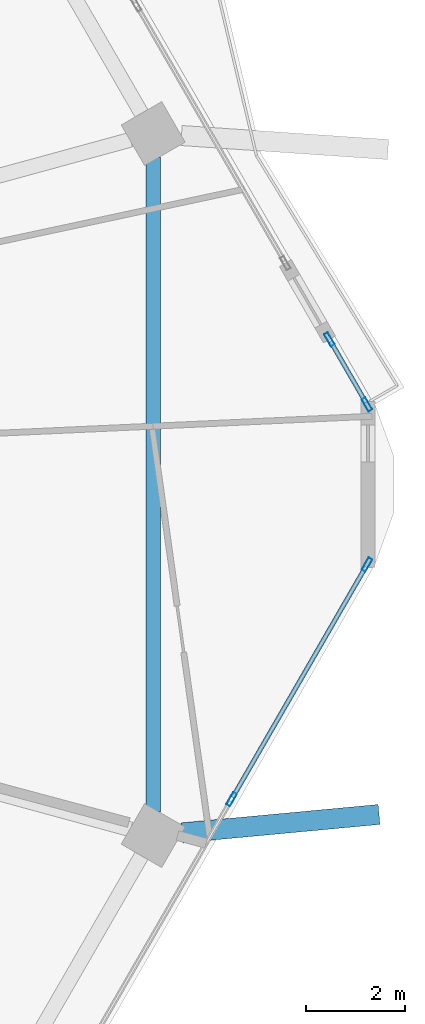
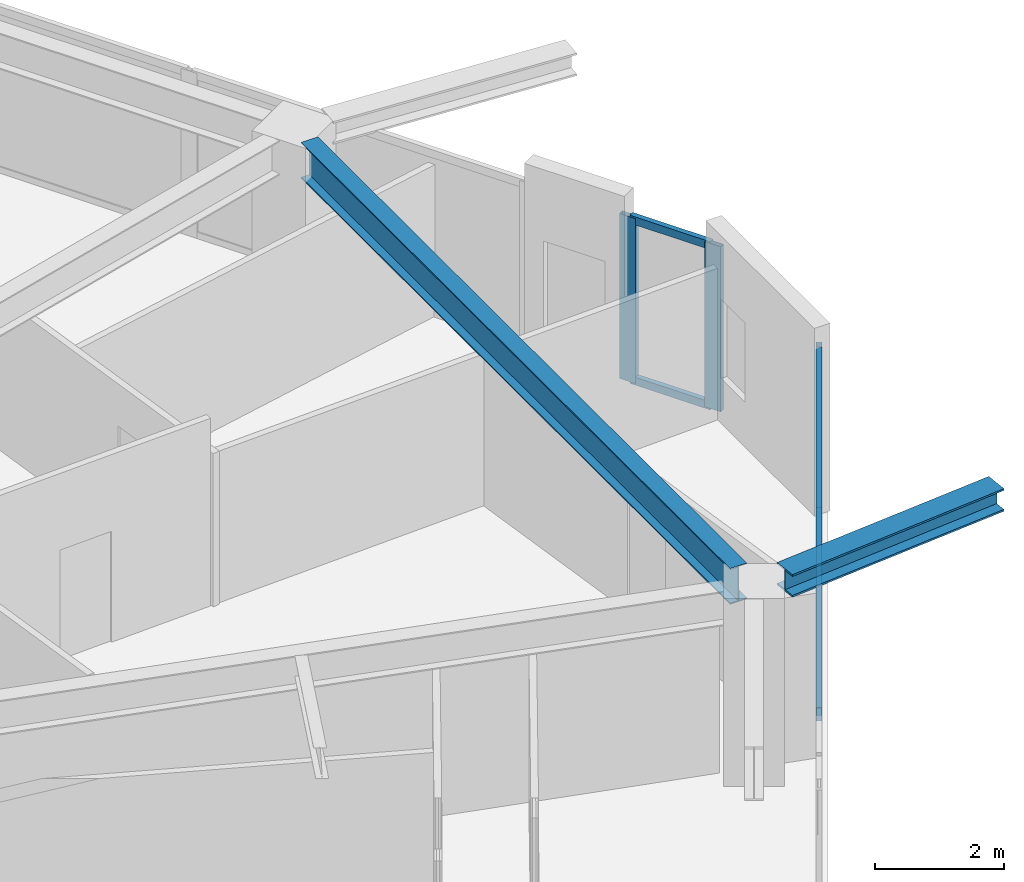
# One storey, part 9 of 26: 8 members, 2 beams, 2 elements without a shape of their own.
"""IFC4 building model written with IfcOpenShell, lengths in metres."""

from ifc_helpers import new_model, si_unit, direction, frame, origin, origin_2d, place, context, subcontext, project, spatial, hollow_rectangle, i_section, extrude, material, material_profile, profile_set, type_object, element, aggregate, save


model = new_model("IFC4")

# Units and contexts
model_context = context("Model", 3, precision=1e-05, world=origin(), true_north=direction((0.0, 1.0)))
body_context = subcontext(model_context, "Body", "Model", "MODEL_VIEW")
ifc_project = project(units=[si_unit("LENGTHUNIT", "METRE"), si_unit("AREAUNIT", "SQUARE_METRE"), si_unit("VOLUMEUNIT", "CUBIC_METRE"), si_unit("PLANEANGLEUNIT", "RADIAN"), si_unit("MASSUNIT", "GRAM", prefix="KILO")], contexts=[model_context])

# Site, building, storey
site_placement = place(None, origin())
site = spatial("IfcSite", under=ifc_project, at=site_placement, CompositionType="ELEMENT")
building_placement = place(site_placement, origin())
building = spatial("IfcBuilding", under=site, at=building_placement, Name="Zuhravey Tower", CompositionType="ELEMENT")
storey_placement = place(building_placement, frame((0.0, 0.0, 203.60009765625)))
storey = spatial("IfcBuildingStorey", under=building, at=storey_placement, Name="L51", CompositionType="ELEMENT", Elevation=203.60009765625)

# Curtain wall, members
ifc_material_1 = material(Name="Thermally broken anodised aluminium", Category="aluminium")
curtain_wall_type = type_object("IfcCurtainWallType", Name="Zone 1-2 Residential Curtain Wall CW3", PredefinedType="NOTDEFINED", material=ifc_material_1)
curtain_wall_1_placement = place(storey_placement, origin())
curtain_wall_1 = element("IfcCurtainWall", 1, at=curtain_wall_1_placement, inside=storey, type_object=curtain_wall_type, Name="L51 CW3 CW-L51-F6-1", PredefinedType="NOTDEFINED")
ifc_material_2 = material(Name="Anodised aluminium", Category="aluminium")
ifc_material_profile_1 = material_profile(ifc_material_2, hollow_rectangle(XDim=0.090087890625, YDim=0.284912109375, WallThickness=0.0048828125, at=origin_2d()), Name="ALU-RHS-90x285x5")
ifc_profile_set_1 = profile_set([ifc_material_profile_1], Name="Anodised aluminium")
member_type_1 = type_object("IfcMemberType", Name="Curtain-Wall Mullion 90x180", PredefinedType="MULLION", material=ifc_profile_set_1)
member_1_placement = place(storey_placement, frame((66.44921875, 30.37353515625, 0.0), z_axis=(0.0, 0.0, 1.0), x_axis=(0.866025138215, -0.500000459979, 0.0)))
member_1 = element("IfcMember", 2, at=member_1_placement, type_object=member_type_1, Name="CW3 mullion 1", PredefinedType="MULLION", context=body_context, shape_type="SweptSolid", body=[
    extrude(hollow_rectangle(XDim=0.090087890625, YDim=0.284912109375, WallThickness=0.0048828125, at=origin_2d()), origin(), (0.0, 0.0, 1.0), 3.121826171875),
])
member_2_placement = place(storey_placement, frame((63.699462890625, 25.61083984375, 0.0), z_axis=(0.0, 0.0, 1.0), x_axis=(0.866025138215, -0.500000459979, 0.0)))
member_2 = element("IfcMember", 3, at=member_2_placement, type_object=member_type_1, Name="CW3 mullion 2", PredefinedType="MULLION", context=body_context, shape_type="SweptSolid", body=[
    extrude(hollow_rectangle(XDim=0.090087890625, YDim=0.284912109375, WallThickness=0.0048828125, at=origin_2d()), origin(), (0.0, 0.0, 1.0), 3.121826171875),
])

curtain_wall_2_placement = place(storey_placement, origin())
curtain_wall_2 = element("IfcCurtainWall", 4, at=curtain_wall_2_placement, inside=storey, type_object=curtain_wall_type, Name="L51 CW3 CW-L51-F1-2", PredefinedType="NOTDEFINED")
member_3_placement = place(storey_placement, frame((65.68701171875, 34.947021484375, 0.0), z_axis=(0.0, 0.0, 1.0), x_axis=(0.866031933467, 0.499988690087, 0.0)))
member_3 = element("IfcMember", 5, at=member_3_placement, type_object=member_type_1, Name="CW3 mullion 1", PredefinedType="MULLION", context=body_context, shape_type="SweptSolid", body=[
    extrude(hollow_rectangle(XDim=0.090087890625, YDim=0.284912109375, WallThickness=0.0048828125, at=origin_2d()), origin(), (0.0, 0.0, 1.0), 3.121826171875),
])
member_4_placement = place(storey_placement, frame((66.44921875, 33.62646484375, 0.0), z_axis=(0.0, 0.0, 1.0), x_axis=(0.866031933467, 0.499988690087, 0.0)))
member_4 = element("IfcMember", 6, at=member_4_placement, type_object=member_type_1, Name="CW3 mullion 2", PredefinedType="MULLION", context=body_context, shape_type="SweptSolid", body=[
    extrude(hollow_rectangle(XDim=0.090087890625, YDim=0.284912109375, WallThickness=0.0048828125, at=origin_2d()), origin(), (0.0, 0.0, 1.0), 3.121826171875),
])

# Member
ifc_material_profile_2 = material_profile(ifc_material_2, hollow_rectangle(XDim=0.090087890625, YDim=0.14990234375, WallThickness=0.0048828125, at=origin_2d()), Name="ALU-RHS-90x150x5")
ifc_profile_set_2 = profile_set([ifc_material_profile_2], Name="Anodised aluminium")
member_type_2 = type_object("IfcMemberType", Name="Curtain-Wall Transom 90x150", PredefinedType="USERDEFINED", material=ifc_profile_set_2)
member_5_placement = place(storey_placement, frame((66.4267578125, 30.33447265625, 0.044921875), z_axis=(-0.499993332629, -0.866029253159, 0.0), x_axis=(0.866029253159, -0.499993332629, 0.0)))
member_5 = element("IfcMember", 7, at=member_5_placement, type_object=member_type_2, Name="CW3 transom 1.1", ObjectType="TRANSOM", PredefinedType="USERDEFINED", context=body_context, shape_type="SweptSolid", body=[
    extrude(hollow_rectangle(XDim=0.090087890625, YDim=0.14990234375, WallThickness=0.0048828125, at=origin_2d()), origin(), (0.0, 0.0, 1.0), 5.4091796875),
])

member_6_placement = place(storey_placement, frame((66.4267578125, 30.33447265625, 3.076904296875), z_axis=(-0.499993332629, -0.866029253159, 0.0), x_axis=(0.866029253159, -0.499993332629, 0.0)))
member_6 = element("IfcMember", 8, at=member_6_placement, type_object=member_type_2, Name="CW3 transom 1.2", ObjectType="TRANSOM", PredefinedType="USERDEFINED", context=body_context, shape_type="SweptSolid", body=[
    extrude(hollow_rectangle(XDim=0.090087890625, YDim=0.14990234375, WallThickness=0.0048828125, at=origin_2d()), origin(), (0.0, 0.0, 1.0), 5.4091796875),
])

aggregate(curtain_wall_1, [member_1, member_2, member_5, member_6])

member_7_placement = place(storey_placement, frame((65.70947265625, 34.907958984375, 0.044921875), z_axis=(0.499982703029, -0.866035389965, 0.0), x_axis=(0.866035389965, 0.499982703029, 0.0)))
member_7 = element("IfcMember", 9, at=member_7_placement, type_object=member_type_2, Name="CW3 transom 1.1", ObjectType="TRANSOM", PredefinedType="USERDEFINED", context=body_context, shape_type="SweptSolid", body=[
    extrude(hollow_rectangle(XDim=0.090087890625, YDim=0.14990234375, WallThickness=0.0048828125, at=origin_2d()), origin(), (0.0, 0.0, 1.0), 1.4345703125),
])

member_8_placement = place(storey_placement, frame((65.70947265625, 34.907958984375, 3.076904296875), z_axis=(0.499982703029, -0.866035389965, 0.0), x_axis=(0.866035389965, 0.499982703029, 0.0)))
member_8 = element("IfcMember", 10, at=member_8_placement, type_object=member_type_2, Name="CW3 transom 1.2", ObjectType="TRANSOM", PredefinedType="USERDEFINED", context=body_context, shape_type="SweptSolid", body=[
    extrude(hollow_rectangle(XDim=0.090087890625, YDim=0.14990234375, WallThickness=0.0048828125, at=origin_2d()), origin(), (0.0, 0.0, 1.0), 1.4345703125),
])

aggregate(curtain_wall_2, [member_3, member_4, member_7, member_8])

# Beams
ifc_material_3 = material(Name="Steel SM460", Category="steel")
ifc_material_profile_3 = material_profile(ifc_material_3, i_section(OverallWidth=0.406982421875, OverallDepth=0.427978515625, WebThickness=0.02001953125, FlangeThickness=0.034912109375, at=origin_2d()), Name="H-428x407x20x35")
ifc_profile_set_3 = profile_set([ifc_material_profile_3], Name="Steel SM460")
beam_type_1 = type_object("IfcBeamType", Name="Exoskeleton Node Tie Beam H428x407", PredefinedType="BEAM", material=ifc_profile_set_3)
beam_1_placement = place(storey_placement, frame((62.69140625, 24.927978515625, 3.3359375), z_axis=(0.995662575361, 0.0930378204, 0.0), x_axis=(-0.0930378204, 0.995662575361, 0.0)))
element("IfcBeam", 11, at=beam_1_placement, inside=storey, type_object=beam_type_1, Name="L51 Exoskeleton Node Tie NT1-12", PredefinedType="BEAM", context=body_context, shape_type="SweptSolid", body=[
    extrude(i_section(OverallWidth=0.406982421875, OverallDepth=0.427978515625, WebThickness=0.02001953125, FlangeThickness=0.034912109375, at=origin_2d()), origin(), (0.0, 0.0, 1.0), 4.02001953125),
])
ifc_material_4 = material(Name="Steel SM355", Category="steel")
ifc_material_profile_4 = material_profile(ifc_material_4, i_section(OverallWidth=0.300048828125, OverallDepth=0.679931640625, WebThickness=0.012939453125, FlangeThickness=0.02197265625, at=origin_2d()), Name="H-680x300x13x22")
ifc_profile_set_4 = profile_set([ifc_material_profile_4], Name="Steel SM355")
beam_type_2 = type_object("IfcBeamType", Name="Perimeter Ring Beam H680x300", PredefinedType="BEAM", material=ifc_profile_set_4)
beam_2_placement = place(storey_placement, frame((62.107666015625, 25.3515625, 3.2099609375), z_axis=(0.0, 1.0, 0.0), x_axis=(-1.0, 0.0, 0.0)))
element("IfcBeam", 12, at=beam_2_placement, inside=storey, type_object=beam_type_2, Name="L51 PB2 BM-L51-PB-12", PredefinedType="BEAM", context=body_context, shape_type="SweptSolid", body=[
    extrude(i_section(OverallWidth=0.300048828125, OverallDepth=0.679931640625, WebThickness=0.012939453125, FlangeThickness=0.02197265625, at=origin_2d()), origin(), (0.0, 0.0, 1.0), 13.296875),
])

save(model, "model.ifc")
